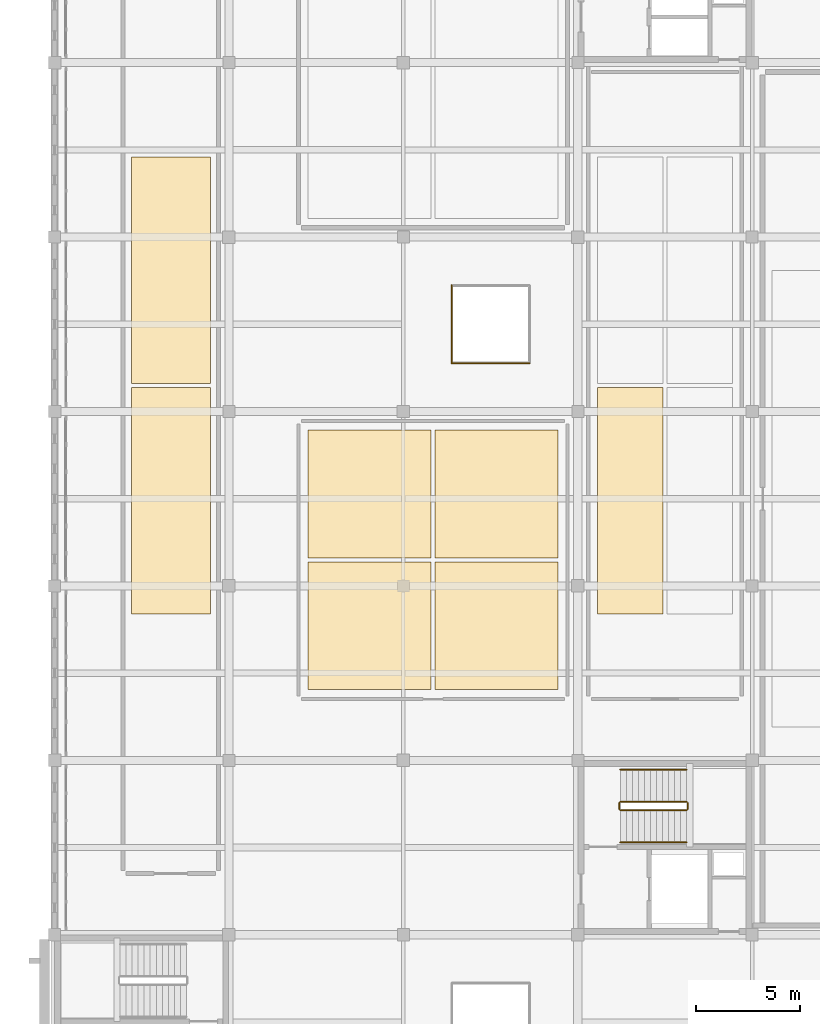
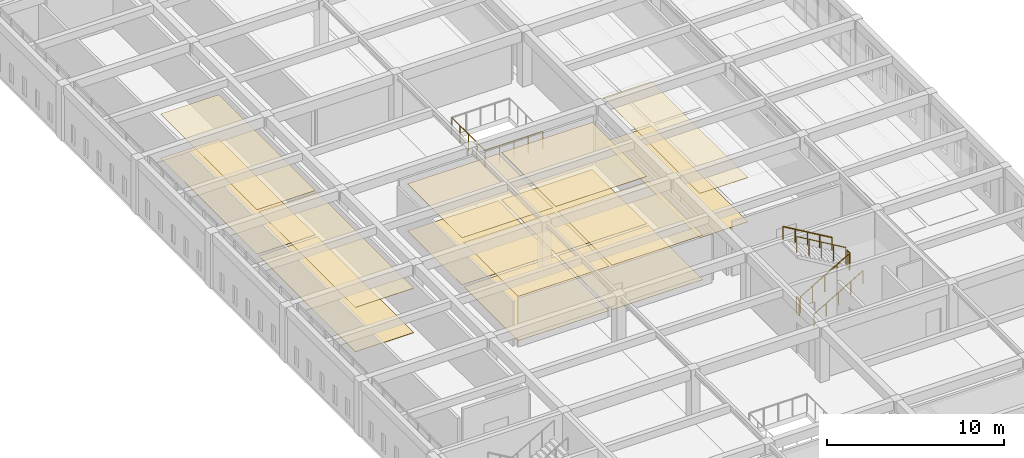
# One storey, part 53 of 56: 14 coverings, 8 railings.
"""IFC4 building model written with IfcOpenShell, lengths in metres."""

from ifc_helpers import new_model, si_unit, direction, frame, origin, origin_2d, place, context, subcontext, project, spatial, rectangle, circle, extrude, material, layer, layer_set, type_object, element, save


model = new_model("IFC4")

# Units and contexts
model_context = context("Model", 3, precision=1e-05, world=origin(), true_north=direction((0.0, 1.0)))
body_context = subcontext(model_context, "Body", "Model", "MODEL_VIEW")
ifc_project = project(units=[si_unit("LENGTHUNIT", "METRE"), si_unit("AREAUNIT", "SQUARE_METRE"), si_unit("VOLUMEUNIT", "CUBIC_METRE"), si_unit("PLANEANGLEUNIT", "RADIAN"), si_unit("MASSUNIT", "GRAM", prefix="KILO")], contexts=[model_context])

# Site, building, storey
site_placement = place(None, origin())
site = spatial("IfcSite", under=ifc_project, at=site_placement, CompositionType="ELEMENT")
building_placement = place(site_placement, origin())
building = spatial("IfcBuilding", under=site, at=building_placement, Name="Kveldsbrygga Polytechnic", CompositionType="ELEMENT")
storey_placement = place(building_placement, frame((0.0, 0.0, 18.02001953125)))
storey = spatial("IfcBuildingStorey", under=building, at=storey_placement, Name="L04", CompositionType="ELEMENT", Elevation=18.02001953125)

# Coverings
ifc_material_1 = material(Name="Acoustic mineral baffle ceiling")
ifc_layer_1 = layer(ifc_material_1, 0.030029296875)
ifc_layer_set_1 = layer_set([ifc_layer_1], Name="Acoustic mineral baffle ceiling")
covering_type_1 = type_object("IfcCoveringType", Name="COV-CEIL-AC30", PredefinedType="CEILING", material=ifc_layer_set_1)
for number, where, z_axis, x_axis, name in (
    (1, (131.60009765625, 54.5, 3.0498046875), (0.0, 0.0, 1.0), (1.0, 0.0, 0.0), "Acoustic Ceiling SP-L04-COM2-S"),
    (2, (131.60009765625, 65.60009765625, 3.0498046875), (0.0, 0.0, 1.0), (1.0, 0.0, 0.0), "Acoustic Ceiling SP-L04-COM2-N"),
):
    element("IfcCovering", number, at=place(storey_placement, frame(where, z_axis=z_axis, x_axis=x_axis)), inside=storey, type_object=covering_type_1, Name=name, PredefinedType="CEILING", context=body_context, shape_type="SweptSolid", body=[
        extrude(rectangle(XDim=3.800048828125, YDim=10.89990234375, at=origin_2d()), origin(), (0.0, 0.0, 1.0), 0.030029296875),
    ])
for number, where, z_axis, x_axis, name in (
    (3, (141.16259765625, 48.47509765625, 3.0498046875), (0.0, 0.0, 1.0), (1.0, 0.0, 0.0), "Acoustic Ceiling SP-L04-OFF41-WS"),
    (4, (141.16259765625, 54.824951171875, 3.22998046875), (0.0, 0.0, 1.0), (1.0, 0.0, 0.0), "Acoustic Ceiling SP-L04-OFF41-WN"),
    (5, (147.28759765625, 48.47509765625, 3.0498046875), (0.0, 0.0, 1.0), (1.0, 0.0, 0.0), "Acoustic Ceiling SP-L04-OFF41-ES"),
    (6, (147.28759765625, 54.824951171875, 3.25), (0.0, 0.0, 1.0), (1.0, 0.0, 0.0), "Acoustic Ceiling SP-L04-OFF41-EN"),
):
    element("IfcCovering", number, at=place(storey_placement, frame(where, z_axis=z_axis, x_axis=x_axis)), inside=storey, type_object=covering_type_1, Name=name, PredefinedType="CEILING", context=body_context, shape_type="SweptSolid", body=[
        extrude(rectangle(XDim=5.925048828125, YDim=6.14990234375, at=origin_2d()), origin(), (0.0, 0.0, 1.0), 0.030029296875),
    ])
covering_1_placement = place(storey_placement, frame((153.72509765625, 54.5, 3.0498046875), z_axis=(0.0, 0.0, 1.0), x_axis=(1.0, 0.0, 0.0)))
element("IfcCovering", 7, at=covering_1_placement, inside=storey, type_object=covering_type_1, Name="Acoustic Ceiling SP-L04-STD43-WS", PredefinedType="CEILING", context=body_context, shape_type="SweptSolid", body=[
    extrude(rectangle(XDim=3.14990234375, YDim=10.89990234375, at=origin_2d()), origin(), (0.0, 0.0, 1.0), 0.030029296875),
])
ifc_material_2 = material(Name="Acoustic oak timber flooring", Category="wood")
ifc_layer_2 = layer(ifc_material_2, 0.02197265625)
ifc_layer_set_2 = layer_set([ifc_layer_2], Name="Acoustic oak timber flooring")
covering_type_2 = type_object("IfcCoveringType", Name="COV-FLR-OAK22", PredefinedType="FLOORING", material=ifc_layer_set_2)
for number, where, z_axis, x_axis, name in (
    (8, (131.60009765625, 54.5, 0.0), (0.0, 0.0, 1.0), (1.0, 0.0, 0.0), "Room Flooring SP-L04-COM2-S"),
    (9, (131.60009765625, 65.60009765625, 0.0), (0.0, 0.0, 1.0), (1.0, 0.0, 0.0), "Room Flooring SP-L04-COM2-N"),
):
    element("IfcCovering", number, at=place(storey_placement, frame(where, z_axis=z_axis, x_axis=x_axis)), inside=storey, type_object=covering_type_2, Name=name, PredefinedType="FLOORING", context=body_context, shape_type="SweptSolid", body=[
        extrude(rectangle(XDim=3.800048828125, YDim=10.89990234375, at=origin_2d()), origin(), (0.0, 0.0, 1.0), 0.02197265625),
    ])
for number, where, z_axis, x_axis, name in (
    (10, (141.16259765625, 48.47509765625, 0.0), (0.0, 0.0, 1.0), (1.0, 0.0, 0.0), "Room Flooring SP-L04-OFF41-WS"),
    (11, (141.16259765625, 54.824951171875, 0.0), (0.0, 0.0, 1.0), (1.0, 0.0, 0.0), "Room Flooring SP-L04-OFF41-WN"),
    (12, (147.28759765625, 48.47509765625, 0.0), (0.0, 0.0, 1.0), (1.0, 0.0, 0.0), "Room Flooring SP-L04-OFF41-ES"),
    (13, (147.28759765625, 54.824951171875, 0.0), (0.0, 0.0, 1.0), (1.0, 0.0, 0.0), "Room Flooring SP-L04-OFF41-EN"),
):
    element("IfcCovering", number, at=place(storey_placement, frame(where, z_axis=z_axis, x_axis=x_axis)), inside=storey, type_object=covering_type_2, Name=name, PredefinedType="FLOORING", context=body_context, shape_type="SweptSolid", body=[
        extrude(rectangle(XDim=5.925048828125, YDim=6.14990234375, at=origin_2d()), origin(), (0.0, 0.0, 1.0), 0.02197265625),
    ])
covering_2_placement = place(storey_placement, frame((153.72509765625, 54.5, 0.0), z_axis=(0.0, 0.0, 1.0), x_axis=(1.0, 0.0, 0.0)))
element("IfcCovering", 14, at=covering_2_placement, inside=storey, type_object=covering_type_2, Name="Room Flooring SP-L04-STD43-WS", PredefinedType="FLOORING", context=body_context, shape_type="SweptSolid", body=[
    extrude(rectangle(XDim=3.14990234375, YDim=10.89990234375, at=origin_2d()), origin(), (0.0, 0.0, 1.0), 0.02197265625),
])

# Railings
ifc_material_3 = material(Name="Steel S355", Category="steel")
railing_type_1 = type_object("IfcRailingType", Name="RL-STAIR-GRD", PredefinedType="GUARDRAIL", material=ifc_material_3)
railing_1_placement = place(storey_placement, frame((153.25, 39.60009765625, 0.169921875)))
element("IfcRailing", 15, at=railing_1_placement, inside=storey, type_object=railing_type_1, Name="L04 ST-3 stair guard 1", PredefinedType="GUARDRAIL", context=body_context, shape_type="SweptSolid", body=[
    extrude(circle(Radius=0.02392578125, at=origin_2d()), frame((0.0, 0.0, 1.1259765625), z_axis=(0.862680090275, 0.0, 0.50574999935), x_axis=(0.0, 1.0, 0.0)), (0.0, 0.0, 1.0), 3.69775390625),
    extrude(circle(Radius=0.02099609375, at=origin_2d()), origin(), (0.0, 0.0, 1.0), 1.097900390625),
    extrude(circle(Radius=0.02099609375, at=origin_2d()), frame((0.79736328125, 0.0, 0.467529296875)), (0.0, 0.0, 1.0), 1.097900390625),
    extrude(circle(Radius=0.02099609375, at=origin_2d()), frame((1.594970703125, 0.0, 0.93505859375)), (0.0, 0.0, 1.0), 1.097900390625),
    extrude(circle(Radius=0.02099609375, at=origin_2d()), frame((2.392578125, 0.0, 1.402587890625)), (0.0, 0.0, 1.0), 1.097900390625),
    extrude(circle(Radius=0.02099609375, at=origin_2d()), frame((3.18994140625, 0.0, 1.8701171875)), (0.0, 0.0, 1.0), 1.097900390625),
])
railing_2_placement = place(storey_placement, frame((156.489990234375, 39.64990234375, 2.0400390625)))
element("IfcRailing", 16, at=railing_2_placement, inside=storey, type_object=railing_type_1, Name="L04 ST-3 stair guard 2", PredefinedType="GUARDRAIL", context=body_context, shape_type="SweptSolid", body=[
    extrude(circle(Radius=0.02392578125, at=origin_2d()), frame((0.0, 0.0, 1.1259765625), z_axis=(0.0, 1.0, 0.0), x_axis=(-1.0, 0.0, 0.0)), (0.0, 0.0, 1.0), 0.300048828125),
    extrude(circle(Radius=0.02099609375, at=origin_2d()), origin(), (0.0, 0.0, 1.0), 1.097900390625),
    extrude(circle(Radius=0.02099609375, at=origin_2d()), frame((0.0, 0.300048828125, 0.0)), (0.0, 0.0, 1.0), 1.097900390625),
])
railing_3_placement = place(storey_placement, frame((156.43994140625, 40.0, 2.2099609375)))
element("IfcRailing", 17, at=railing_3_placement, inside=storey, type_object=railing_type_1, Name="L04 ST-3 stair guard 3", PredefinedType="GUARDRAIL", context=body_context, shape_type="SweptSolid", body=[
    extrude(circle(Radius=0.02392578125, at=origin_2d()), frame((0.0, 0.0, 1.1259765625), z_axis=(-0.862680090275, 0.0, 0.50574999935), x_axis=(0.0, -1.0, 0.0)), (0.0, 0.0, 1.0), 3.69775390625),
    extrude(circle(Radius=0.02099609375, at=origin_2d()), origin(), (0.0, 0.0, 1.0), 1.097900390625),
    extrude(circle(Radius=0.02099609375, at=origin_2d()), frame((-0.79736328125, 0.0, 0.467529296875)), (0.0, 0.0, 1.0), 1.097900390625),
    extrude(circle(Radius=0.02099609375, at=origin_2d()), frame((-1.594970703125, 0.0, 0.93505859375)), (0.0, 0.0, 1.0), 1.097900390625),
    extrude(circle(Radius=0.02099609375, at=origin_2d()), frame((-2.392578125, 0.0, 1.402587890625)), (0.0, 0.0, 1.0), 1.097900390625),
    extrude(circle(Radius=0.02099609375, at=origin_2d()), frame((-3.18994140625, 0.0, 1.8701171875)), (0.0, 0.0, 1.0), 1.097900390625),
])
railing_4_placement = place(storey_placement, frame((153.199951171875, 39.64990234375, 0.0)))
element("IfcRailing", 18, at=railing_4_placement, inside=storey, type_object=railing_type_1, Name="L04 ST-3 stair guard 4", PredefinedType="GUARDRAIL", context=body_context, shape_type="SweptSolid", body=[
    extrude(circle(Radius=0.02392578125, at=origin_2d()), frame((0.0, 0.0, 1.1259765625), z_axis=(0.0, 1.0, 0.0), x_axis=(-1.0, 0.0, 0.0)), (0.0, 0.0, 1.0), 0.300048828125),
    extrude(circle(Radius=0.02099609375, at=origin_2d()), origin(), (0.0, 0.0, 1.0), 1.097900390625),
    extrude(circle(Radius=0.02099609375, at=origin_2d()), frame((0.0, 0.300048828125, 0.0)), (0.0, 0.0, 1.0), 1.097900390625),
])
railing_type_2 = type_object("IfcRailingType", Name="RL-STAIR-HND", PredefinedType="HANDRAIL", material=ifc_material_3)
railing_5_placement = place(storey_placement, frame((153.25, 38.050048828125, 0.169921875)))
element("IfcRailing", 19, at=railing_5_placement, inside=storey, type_object=railing_type_2, Name="L04 ST-3 stair handrail 1", PredefinedType="HANDRAIL", context=body_context, shape_type="SweptSolid", body=[
    extrude(circle(Radius=0.02392578125, at=origin_2d()), frame((0.0, 0.0, 0.8759765625), z_axis=(0.862680090275, 0.0, 0.50574999935), x_axis=(0.0, 1.0, 0.0)), (0.0, 0.0, 1.0), 3.69775390625),
    extrude(circle(Radius=0.02099609375, at=origin_2d()), origin(), (0.0, 0.0, 1.0), 0.847900390625),
    extrude(circle(Radius=0.02099609375, at=origin_2d()), frame((0.79736328125, 0.0, 0.467529296875)), (0.0, 0.0, 1.0), 0.847900390625),
    extrude(circle(Radius=0.02099609375, at=origin_2d()), frame((1.594970703125, 0.0, 0.93505859375)), (0.0, 0.0, 1.0), 0.847900390625),
    extrude(circle(Radius=0.02099609375, at=origin_2d()), frame((2.392578125, 0.0, 1.402587890625)), (0.0, 0.0, 1.0), 0.847900390625),
    extrude(circle(Radius=0.02099609375, at=origin_2d()), frame((3.18994140625, 0.0, 1.8701171875)), (0.0, 0.0, 1.0), 0.847900390625),
])
railing_6_placement = place(storey_placement, frame((156.43994140625, 41.550048828125, 2.2099609375)))
element("IfcRailing", 20, at=railing_6_placement, inside=storey, type_object=railing_type_2, Name="L04 ST-3 stair handrail 2", PredefinedType="HANDRAIL", context=body_context, shape_type="SweptSolid", body=[
    extrude(circle(Radius=0.02392578125, at=origin_2d()), frame((0.0, 0.0, 0.8759765625), z_axis=(-0.862680090275, 0.0, 0.50574999935), x_axis=(0.0, -1.0, 0.0)), (0.0, 0.0, 1.0), 3.69775390625),
    extrude(circle(Radius=0.02099609375, at=origin_2d()), origin(), (0.0, 0.0, 1.0), 0.847900390625),
    extrude(circle(Radius=0.02099609375, at=origin_2d()), frame((-0.79736328125, 0.0, 0.467529296875)), (0.0, 0.0, 1.0), 0.847900390625),
    extrude(circle(Radius=0.02099609375, at=origin_2d()), frame((-1.594970703125, 0.0, 0.93505859375)), (0.0, 0.0, 1.0), 0.847900390625),
    extrude(circle(Radius=0.02099609375, at=origin_2d()), frame((-2.392578125, 0.0, 1.402587890625)), (0.0, 0.0, 1.0), 0.847900390625),
    extrude(circle(Radius=0.02099609375, at=origin_2d()), frame((-3.18994140625, 0.0, 1.8701171875)), (0.0, 0.0, 1.0), 0.847900390625),
])
railing_type_3 = type_object("IfcRailingType", Name="RL-VOID-GRD", PredefinedType="GUARDRAIL", material=ifc_material_3)
railing_7_placement = place(storey_placement, frame((145.1201171875, 61.1201171875, 0.0)))
element("IfcRailing", 21, at=railing_7_placement, inside=storey, type_object=railing_type_3, Name="Atrium Well Guard GRD-L04-WELL-7-S", PredefinedType="GUARDRAIL", context=body_context, shape_type="SweptSolid", body=[
    extrude(circle(Radius=0.02392578125, at=origin_2d()), frame((0.0, 0.0, 1.17578125), z_axis=(1.0, 0.0, 0.0), x_axis=(0.0, 1.0, 0.0)), (0.0, 0.0, 1.0), 3.759765625),
    extrude(circle(Radius=0.02099609375, at=origin_2d()), origin(), (0.0, 0.0, 1.0), 1.14794921875),
    extrude(circle(Radius=0.02099609375, at=origin_2d()), frame((0.93994140625, 0.0, 0.0)), (0.0, 0.0, 1.0), 1.14794921875),
    extrude(circle(Radius=0.02099609375, at=origin_2d()), frame((1.8798828125, 0.0, 0.0)), (0.0, 0.0, 1.0), 1.14794921875),
    extrude(circle(Radius=0.02099609375, at=origin_2d()), frame((2.81982421875, 0.0, 0.0)), (0.0, 0.0, 1.0), 1.14794921875),
    extrude(circle(Radius=0.02099609375, at=origin_2d()), frame((3.759765625, 0.0, 0.0)), (0.0, 0.0, 1.0), 1.14794921875),
])
railing_8_placement = place(storey_placement, frame((145.1201171875, 64.8798828125, 0.0)))
element("IfcRailing", 22, at=railing_8_placement, inside=storey, type_object=railing_type_3, Name="Atrium Well Guard GRD-L04-WELL-7-W", PredefinedType="GUARDRAIL", context=body_context, shape_type="SweptSolid", body=[
    extrude(circle(Radius=0.02392578125, at=origin_2d()), frame((0.0, 0.0, 1.17578125), z_axis=(0.0, -1.0, 0.0), x_axis=(1.0, 0.0, 0.0)), (0.0, 0.0, 1.0), 3.759765625),
    extrude(circle(Radius=0.02099609375, at=origin_2d()), origin(), (0.0, 0.0, 1.0), 1.14794921875),
    extrude(circle(Radius=0.02099609375, at=origin_2d()), frame((0.0, -0.93994140625, 0.0)), (0.0, 0.0, 1.0), 1.14794921875),
    extrude(circle(Radius=0.02099609375, at=origin_2d()), frame((0.0, -1.8798828125, 0.0)), (0.0, 0.0, 1.0), 1.14794921875),
    extrude(circle(Radius=0.02099609375, at=origin_2d()), frame((0.0, -2.81982421875, 0.0)), (0.0, 0.0, 1.0), 1.14794921875),
    extrude(circle(Radius=0.02099609375, at=origin_2d()), frame((0.0, -3.759765625, 0.0)), (0.0, 0.0, 1.0), 1.14794921875),
])

save(model, "model.ifc")
